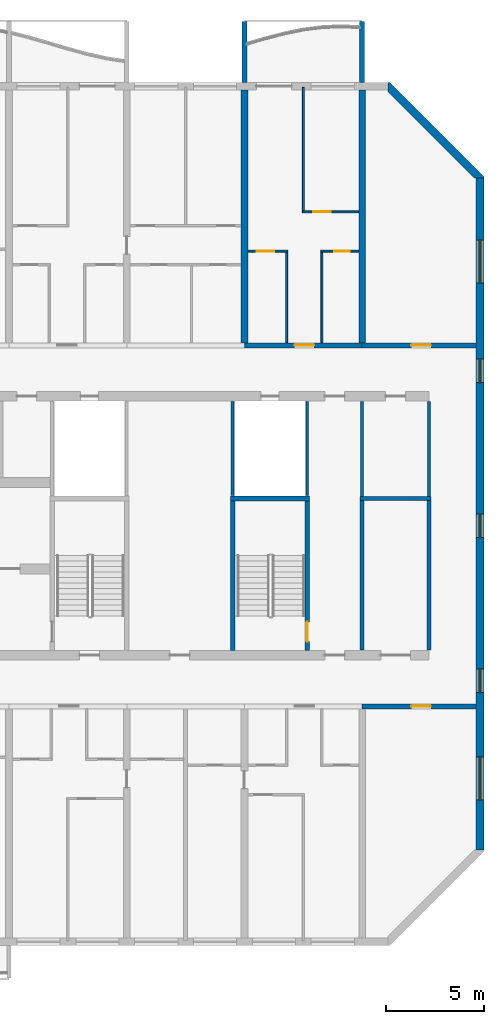
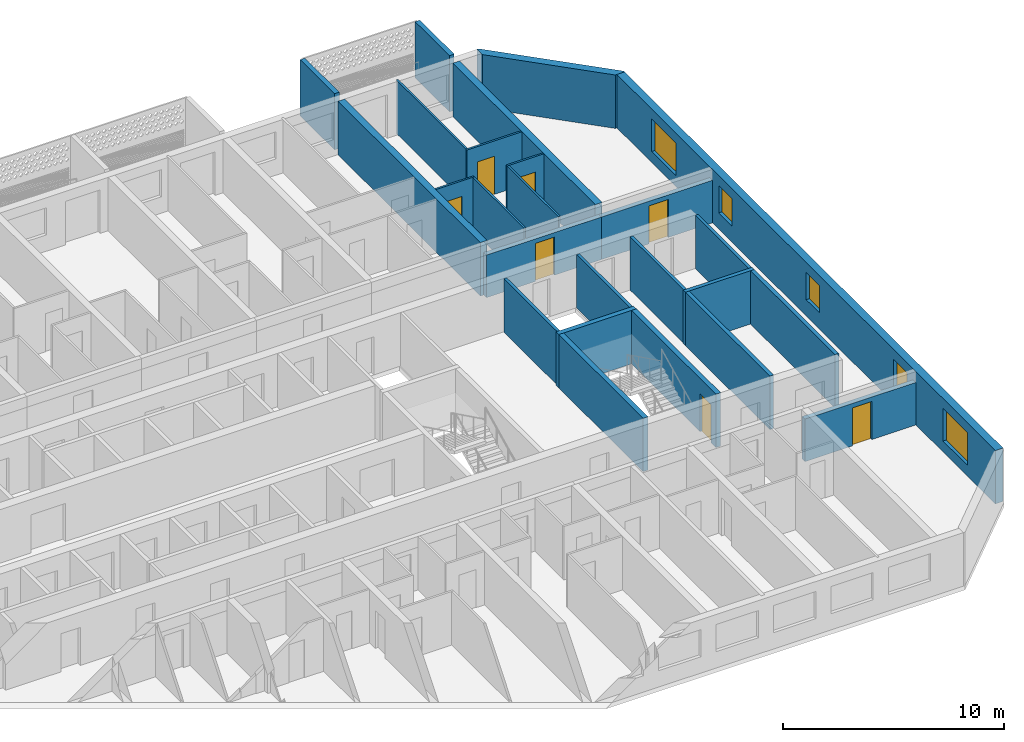
# One storey, part 13 of 24: 25 walls, 7 doors, 5 windows, 12 openings.
"""IFC4 building model written with IfcOpenShell, lengths in metres."""

from ifc_helpers import new_model, si_unit, direction, frame, frame_2d, origin, place, context, subcontext, project, spatial, polyline, rectangle, outline, extrude, source, transform, mapped, material, layer, layer_set, type_object, element, fill, save


model = new_model("IFC4")

# Units and contexts
model_context = context("Model", 3, precision=1e-05, world=origin(), true_north=direction((0.0, 1.0)))
body_context = subcontext(model_context, "Body", "Model", "MODEL_VIEW")
ifc_project = project(units=[si_unit("LENGTHUNIT", "METRE"), si_unit("AREAUNIT", "SQUARE_METRE"), si_unit("VOLUMEUNIT", "CUBIC_METRE"), si_unit("PLANEANGLEUNIT", "RADIAN"), si_unit("MASSUNIT", "GRAM", prefix="KILO")], contexts=[model_context])

# Site, building, storey
site_placement = place(None, origin())
site = spatial("IfcSite", under=ifc_project, at=site_placement, CompositionType="ELEMENT")
building_placement = place(site_placement, origin())
building = spatial("IfcBuilding", under=site, at=building_placement, Name="Poui Terraces", CompositionType="ELEMENT")
storey_placement = place(building_placement, frame((0.0, 0.0, 112.5)))
storey = spatial("IfcBuildingStorey", under=building, at=storey_placement, Name="L31", CompositionType="ELEMENT", Elevation=112.5)

# Walls
ifc_material_1 = material(Name="Fire-rated plasterboard wall")
ifc_layer_1 = layer(ifc_material_1, 0.14990234375)
ifc_layer_set_1 = layer_set([ifc_layer_1], Name="Fire-rated plasterboard wall")
wall_type_1 = type_object("IfcWallType", Name="CORRIDOR WALL 150", PredefinedType="PARTITIONING", material=ifc_layer_set_1)
for number, where, z_axis, x_axis, name in (
    (1, (84.0, 22.699951171875, 0.0), (0.0, 0.0, 1.0), (0.0, 1.0, 0.0), "CORRIDOR WALL 150"),
    (2, (87.39990234375, 22.699951171875, 0.0), (0.0, 0.0, 1.0), (0.0, 1.0, 0.0), "CORRIDOR WALL 150"),
):
    element("IfcWall", number, at=place(storey_placement, frame(where, z_axis=z_axis, x_axis=x_axis)), inside=storey, type_object=wall_type_1, Name=name, PredefinedType="PARTITIONING", context=body_context, shape_type="SweptSolid", body=[
        extrude(rectangle(XDim=4.840087890625, YDim=0.14990234375, at=frame_2d((2.419921875, 0.0))), origin(), (0.0, 0.0, 1.0), 2.949951171875),
    ])

# Wall, opening, door
ifc_material_2 = material(Name="Concrete 65 MPa", Category="concrete")
ifc_layer_2 = layer(ifc_material_2, 0.25)
ifc_layer_set_2 = layer_set([ifc_layer_2], Name="Concrete 65 MPa")
wall_type_2 = type_object("IfcWallType", Name="CORRIDOR WALL 250 65MPa", PredefinedType="SHEAR", material=ifc_layer_set_2)
wall_1_placement = place(storey_placement, frame((84.0, 12.0, 0.0), z_axis=(0.0, 0.0, 1.0), x_axis=(1.0, 0.0, 0.0)))
wall_1 = element("IfcWall", 3, at=wall_1_placement, inside=storey, type_object=wall_type_2, Name="CORRIDOR WALL LINE B BAY 13", PredefinedType="SHEAR", context=body_context, shape_type="SweptSolid", body=[
    extrude(rectangle(XDim=5.800048828125, YDim=0.25, at=frame_2d((2.89990234375, 0.0))), origin(), (0.0, 0.0, 1.0), 2.35009765625),
])
opening_1_placement = place(wall_1_placement, frame((2.5, 0.0, 0.0)))
opening_1 = element("IfcOpeningElement", 4, at=opening_1_placement, cuts=wall_1, Name="Opening D100", PredefinedType="OPENING", context=body_context, shape_type="SweptSolid", body=[
    extrude(rectangle(XDim=1.0, YDim=2.10009765625, at=frame_2d((0.5, 1.050048828125))), frame((0.0, 0.135009765625, 0.0), z_axis=(0.0, -1.0, 0.0), x_axis=(1.0, 0.0, 0.0)), (0.0, 0.0, 1.0), 0.27001953125),
])
ifc_material_3 = material(Name="Solid core timber door", Category="wood")
door_type_1 = type_object("IfcDoorType", Name="ACCESSIBLE INTERNAL DOOR 1000 X 2100", OperationType="NOTDEFINED", PredefinedType="DOOR", material=ifc_material_3)
door_1_placement = place(opening_1_placement, frame((1.0, 0.0, 0.0), z_axis=(0.0, 0.0, 1.0), x_axis=(-1.0, 0.0, 0.0)))
door_1 = element("IfcDoor", 5, at=door_1_placement, inside=storey, type_object=door_type_1, Name="ACCESSIBLE INTERNAL DOOR 119", OperationType="SINGLE_SWING_RIGHT", OverallHeight=2.10009765625, OverallWidth=1.0, PredefinedType="DOOR", context=body_context, shape_type="SweptSolid", body=[
    extrude(rectangle(XDim=1.0, YDim=2.10009765625, at=frame_2d((0.5, 1.050048828125))), frame((0.0, 0.02490234375, 0.0), z_axis=(0.0, -1.0, 0.0), x_axis=(1.0, 0.0, 0.0)), (0.0, 0.0, 1.0), 0.050048828125),
])
fill(opening_1, door_1)

wall_2_placement = place(storey_placement, frame((78.0, 30.39990234375, 0.0), z_axis=(0.0, 0.0, 1.0), x_axis=(1.0, 0.0, 0.0)))
wall_2 = element("IfcWall", 6, at=wall_2_placement, inside=storey, type_object=wall_type_2, Name="CORRIDOR WALL LINE E BAY 12", PredefinedType="SHEAR", context=body_context, shape_type="SweptSolid", body=[
    extrude(rectangle(XDim=6.0, YDim=0.25, at=frame_2d((3.0, 0.0))), origin(), (0.0, 0.0, 1.0), 2.35009765625),
])
opening_2_placement = place(wall_2_placement, frame((2.550048828125, 0.0, 0.0)))
opening_2 = element("IfcOpeningElement", 7, at=opening_2_placement, cuts=wall_2, Name="Opening FD30S", PredefinedType="OPENING", context=body_context, shape_type="SweptSolid", body=[
    extrude(rectangle(XDim=1.0, YDim=2.10009765625, at=frame_2d((0.5, 1.050048828125))), frame((0.0, 0.135009765625, 0.0), z_axis=(0.0, -1.0, 0.0), x_axis=(1.0, 0.0, 0.0)), (0.0, 0.0, 1.0), 0.27001953125),
])
ifc_material_4 = material(Name="Steel fire door", Category="steel")
door_type_2 = type_object("IfcDoorType", Name="FLAT ENTRANCE DOOR 1000 X 2100", OperationType="NOTDEFINED", PredefinedType="DOOR", material=ifc_material_4)
door_2_placement = place(opening_2_placement, origin())
door_2 = element("IfcDoor", 8, at=door_2_placement, inside=storey, type_object=door_type_2, Name="FLAT ENTRANCE DOOR 071", OperationType="SINGLE_SWING_RIGHT", OverallHeight=2.10009765625, OverallWidth=1.0, PredefinedType="DOOR", context=body_context, shape_type="SweptSolid", body=[
    extrude(rectangle(XDim=1.0, YDim=2.10009765625, at=frame_2d((0.5, 1.050048828125))), frame((0.0, 0.02490234375, 0.0), z_axis=(0.0, -1.0, 0.0), x_axis=(1.0, 0.0, 0.0)), (0.0, 0.0, 1.0), 0.050048828125),
])
fill(opening_2, door_2)

wall_3_placement = place(storey_placement, frame((84.0, 30.39990234375, 0.0), z_axis=(0.0, 0.0, 1.0), x_axis=(1.0, 0.0, 0.0)))
wall_3 = element("IfcWall", 9, at=wall_3_placement, inside=storey, type_object=wall_type_2, Name="CORRIDOR WALL LINE E BAY 13", PredefinedType="SHEAR", context=body_context, shape_type="SweptSolid", body=[
    extrude(rectangle(XDim=5.800048828125, YDim=0.25, at=frame_2d((2.89990234375, 0.0))), origin(), (0.0, 0.0, 1.0), 2.35009765625),
])
opening_3_placement = place(wall_3_placement, frame((2.5, 0.0, 0.0)))
opening_3 = element("IfcOpeningElement", 10, at=opening_3_placement, cuts=wall_3, Name="Opening D100", PredefinedType="OPENING", context=body_context, shape_type="SweptSolid", body=[
    extrude(rectangle(XDim=1.0, YDim=2.10009765625, at=frame_2d((0.5, 1.050048828125))), frame((0.0, 0.135009765625, 0.0), z_axis=(0.0, -1.0, 0.0), x_axis=(1.0, 0.0, 0.0)), (0.0, 0.0, 1.0), 0.27001953125),
])
door_3_placement = place(opening_3_placement, origin())
door_3 = element("IfcDoor", 11, at=door_3_placement, inside=storey, type_object=door_type_1, Name="ACCESSIBLE INTERNAL DOOR 074", OperationType="SINGLE_SWING_LEFT", OverallHeight=2.10009765625, OverallWidth=1.0, PredefinedType="DOOR", context=body_context, shape_type="SweptSolid", body=[
    extrude(rectangle(XDim=1.0, YDim=2.10009765625, at=frame_2d((0.5, 1.050048828125))), frame((0.0, 0.02490234375, 0.0), z_axis=(0.0, -1.0, 0.0), x_axis=(1.0, 0.0, 0.0)), (0.0, 0.0, 1.0), 0.050048828125),
])
fill(opening_3, door_3)

# Walls
ifc_layer_3 = layer(ifc_material_2, 0.35009765625)
ifc_layer_set_3 = layer_set([ifc_layer_3], Name="Concrete 65 MPa")
wall_type_3 = type_object("IfcWallType", Name="CROSS WALL 350 65MPa", PredefinedType="SHEAR", material=ifc_layer_set_3)
for number, where, z_axis, x_axis, name in (
    (12, (78.0, 30.52490234375, 0.0), (0.0, 0.0, 1.0), (0.0, 1.0, 0.0), "CROSS WALL LINE 14 NORTH"),
    (13, (84.0, 30.52490234375, 0.0), (0.0, 0.0, 1.0), (0.0, 1.0, 0.0), "CROSS WALL LINE 15 NORTH"),
):
    element("IfcWall", number, at=place(storey_placement, frame(where, z_axis=z_axis, x_axis=x_axis)), inside=storey, type_object=wall_type_3, Name=name, PredefinedType="SHEAR", context=body_context, shape_type="SweptSolid", body=[
        extrude(rectangle(XDim=12.875, YDim=0.35009765625, at=frame_2d((6.4375, 0.0))), origin(), (0.0, 0.0, 1.0), 2.949951171875),
    ])

# Wall, openings, windows
ifc_layer_4 = layer(ifc_material_2, 0.39990234375)
ifc_layer_set_4 = layer_set([ifc_layer_4], Name="Concrete 65 MPa")
wall_type_4 = type_object("IfcWallType", Name="END WALL 400 65MPa", PredefinedType="SHEAR", material=ifc_layer_set_4)
wall_4_placement = place(storey_placement, frame((90.0, 4.682861328125, 0.0), z_axis=(0.0, 0.0, 1.0), x_axis=(0.0, 1.0, 0.0)))
wall_4 = element("IfcWall", 14, at=wall_4_placement, inside=storey, type_object=wall_type_4, Name="END WALL EAST", PredefinedType="SHEAR", context=body_context, shape_type="SweptSolid", body=[
    extrude(rectangle(XDim=34.234375, YDim=0.39990234375, at=frame_2d((17.1171875, 0.0))), origin(), (0.0, 0.0, 1.0), 2.949951171875),
])
opening_4_placement = place(wall_4_placement, frame((15.917236328125, 0.0, 0.89990234375)))
opening_4 = element("IfcOpeningElement", 15, at=opening_4_placement, cuts=wall_4, Name="Opening W2", PredefinedType="OPENING", context=body_context, shape_type="SweptSolid", body=[
    extrude(rectangle(XDim=1.199951171875, YDim=1.5, at=frame_2d((0.60009765625, 0.75))), frame((0.0, 0.2099609375, 0.0), z_axis=(0.0, -1.0, 0.0), x_axis=(1.0, 0.0, 0.0)), (0.0, 0.0, 1.0), 0.419921875),
])
opening_5_placement = place(wall_4_placement, frame((23.817138671875, 0.0, 0.89990234375)))
opening_5 = element("IfcOpeningElement", 16, at=opening_5_placement, cuts=wall_4, Name="Opening W2", PredefinedType="OPENING", context=body_context, shape_type="SweptSolid", body=[
    extrude(rectangle(XDim=1.199951171875, YDim=1.5, at=frame_2d((0.60009765625, 0.75))), frame((0.0, 0.2099609375, 0.0), z_axis=(0.0, -1.0, 0.0), x_axis=(1.0, 0.0, 0.0)), (0.0, 0.0, 1.0), 0.419921875),
])
opening_6_placement = place(wall_4_placement, frame((8.01708984375, 0.0, 0.89990234375)))
opening_6 = element("IfcOpeningElement", 17, at=opening_6_placement, cuts=wall_4, Name="Opening W2", PredefinedType="OPENING", context=body_context, shape_type="SweptSolid", body=[
    extrude(rectangle(XDim=1.199951171875, YDim=1.5, at=frame_2d((0.60009765625, 0.75))), frame((0.0, 0.2099609375, 0.0), z_axis=(0.0, -1.0, 0.0), x_axis=(1.0, 0.0, 0.0)), (0.0, 0.0, 1.0), 0.419921875),
])
opening_7_placement = place(wall_4_placement, frame((28.8935546875, 0.0, 0.60009765625)))
opening_7 = element("IfcOpeningElement", 18, at=opening_7_placement, cuts=wall_4, Name="Opening W3", PredefinedType="OPENING", context=body_context, shape_type="SweptSolid", body=[
    extrude(rectangle(XDim=2.199951171875, YDim=1.800048828125, at=frame_2d((1.10009765625, 0.89990234375))), frame((0.0, 0.2099609375, 0.0), z_axis=(0.0, -1.0, 0.0), x_axis=(1.0, 0.0, 0.0)), (0.0, 0.0, 1.0), 0.419921875),
])
opening_8_placement = place(wall_4_placement, frame((2.541015625, 0.0, 0.60009765625)))
opening_8 = element("IfcOpeningElement", 19, at=opening_8_placement, cuts=wall_4, Name="Opening W3", PredefinedType="OPENING", context=body_context, shape_type="SweptSolid", body=[
    extrude(rectangle(XDim=2.199951171875, YDim=1.800048828125, at=frame_2d((1.10009765625, 0.89990234375))), frame((0.0, 0.2099609375, 0.0), z_axis=(0.0, -1.0, 0.0), x_axis=(1.0, 0.0, 0.0)), (0.0, 0.0, 1.0), 0.419921875),
])
ifc_material_5 = material(Name="Clear glass in aluminium frame", Category="aluminium")
window_type_1 = type_object("IfcWindowType", Name="WINDOW 1200X1500", PartitioningType="SINGLE_PANEL", PredefinedType="WINDOW", material=ifc_material_5)
window_1_placement = place(opening_4_placement, origin())
window_1 = element("IfcWindow", 20, at=window_1_placement, inside=storey, type_object=window_type_1, Name="W2 WINDOW", OverallHeight=1.5, OverallWidth=1.199951171875, PartitioningType="SINGLE_PANEL", PredefinedType="WINDOW", context=body_context, shape_type="SweptSolid", body=[
    extrude(rectangle(XDim=1.199951171875, YDim=1.5, at=frame_2d((0.60009765625, 0.75))), frame((0.0, 0.030029296875, 0.0), z_axis=(0.0, -1.0, 0.0), x_axis=(1.0, 0.0, 0.0)), (0.0, 0.0, 1.0), 0.06005859375),
])
fill(opening_4, window_1)
window_2_placement = place(opening_5_placement, origin())
window_2 = element("IfcWindow", 21, at=window_2_placement, inside=storey, type_object=window_type_1, Name="W2 WINDOW", OverallHeight=1.5, OverallWidth=1.199951171875, PartitioningType="SINGLE_PANEL", PredefinedType="WINDOW", context=body_context, shape_type="SweptSolid", body=[
    extrude(rectangle(XDim=1.199951171875, YDim=1.5, at=frame_2d((0.60009765625, 0.75))), frame((0.0, 0.030029296875, 0.0), z_axis=(0.0, -1.0, 0.0), x_axis=(1.0, 0.0, 0.0)), (0.0, 0.0, 1.0), 0.06005859375),
])
fill(opening_5, window_2)
window_3_placement = place(opening_6_placement, origin())
window_3 = element("IfcWindow", 22, at=window_3_placement, inside=storey, type_object=window_type_1, Name="W2 WINDOW", OverallHeight=1.5, OverallWidth=1.199951171875, PartitioningType="SINGLE_PANEL", PredefinedType="WINDOW", context=body_context, shape_type="SweptSolid", body=[
    extrude(rectangle(XDim=1.199951171875, YDim=1.5, at=frame_2d((0.60009765625, 0.75))), frame((0.0, 0.030029296875, 0.0), z_axis=(0.0, -1.0, 0.0), x_axis=(1.0, 0.0, 0.0)), (0.0, 0.0, 1.0), 0.06005859375),
])
fill(opening_6, window_3)
window_type_2 = type_object("IfcWindowType", Name="WINDOW 2200X1800", PartitioningType="DOUBLE_PANEL_HORIZONTAL", PredefinedType="WINDOW", material=ifc_material_5)
window_4_placement = place(opening_7_placement, origin())
window_4 = element("IfcWindow", 23, at=window_4_placement, inside=storey, type_object=window_type_2, Name="W3 WINDOW", OverallHeight=1.800048828125, OverallWidth=2.199951171875, PartitioningType="DOUBLE_PANEL_HORIZONTAL", PredefinedType="WINDOW", context=body_context, shape_type="SweptSolid", body=[
    extrude(rectangle(XDim=2.199951171875, YDim=1.800048828125, at=frame_2d((1.10009765625, 0.89990234375))), frame((0.0, 0.030029296875, 0.0), z_axis=(0.0, -1.0, 0.0), x_axis=(1.0, 0.0, 0.0)), (0.0, 0.0, 1.0), 0.06005859375),
])
fill(opening_7, window_4)
window_5_placement = place(opening_8_placement, origin())
window_5 = element("IfcWindow", 24, at=window_5_placement, inside=storey, type_object=window_type_2, Name="W3 WINDOW", OverallHeight=1.800048828125, OverallWidth=2.199951171875, PartitioningType="DOUBLE_PANEL_HORIZONTAL", PredefinedType="WINDOW", context=body_context, shape_type="SweptSolid", body=[
    extrude(rectangle(XDim=2.199951171875, YDim=1.800048828125, at=frame_2d((1.10009765625, 0.89990234375))), frame((0.0, 0.030029296875, 0.0), z_axis=(0.0, -1.0, 0.0), x_axis=(1.0, 0.0, 0.0)), (0.0, 0.0, 1.0), 0.06005859375),
])
fill(opening_8, window_5)

# Wall, opening, door
ifc_material_6 = material(Name="Plasterboard partition")
ifc_layer_5 = layer(ifc_material_6, 0.10009765625)
ifc_layer_set_5 = layer_set([ifc_layer_5], Name="Plasterboard partition")
wall_type_5 = type_object("IfcWallType", Name="FLAT PARTITION 100", PredefinedType="PARTITIONING", material=ifc_layer_set_5)
wall_5_placement = place(storey_placement, frame((78.18505859375, 35.199951171875, 0.0), z_axis=(0.0, 0.0, 1.0), x_axis=(1.0, 0.0, 0.0)))
wall_5 = element("IfcWall", 25, at=wall_5_placement, inside=storey, type_object=wall_type_5, Name="FLAT PARTITION 100", PredefinedType="PARTITIONING", context=body_context, shape_type="SweptSolid", body=[
    extrude(rectangle(XDim=2.014892578125, YDim=0.10009765625, at=frame_2d((1.00732421875, 0.0))), origin(), (0.0, 0.0, 1.0), 2.949951171875),
])
opening_9_placement = place(wall_5_placement, frame((0.43994140625, 0.0, 0.0)))
opening_9 = element("IfcOpeningElement", 26, at=opening_9_placement, cuts=wall_5, Name="Opening D90", PredefinedType="OPENING", context=body_context, shape_type="SweptSolid", body=[
    extrude(rectangle(XDim=0.89990234375, YDim=2.10009765625, at=frame_2d((0.449951171875, 1.050048828125))), frame((0.0, 0.06005859375, 0.0), z_axis=(0.0, -1.0, 0.0), x_axis=(1.0, 0.0, 0.0)), (0.0, 0.0, 1.0), 0.1201171875),
])
door_type_3 = type_object("IfcDoorType", Name="INTERNAL DOOR 900 X 2100", OperationType="NOTDEFINED", PredefinedType="DOOR", material=ifc_material_3)
door_4_placement = place(opening_9_placement, frame((0.89990234375, 0.0, 0.0), z_axis=(0.0, 0.0, 1.0), x_axis=(-1.0, 0.0, 0.0)))
door_4 = element("IfcDoor", 27, at=door_4_placement, inside=storey, type_object=door_type_3, Name="INTERNAL DOOR 070", OperationType="SINGLE_SWING_LEFT", OverallHeight=2.10009765625, OverallWidth=0.89990234375, PredefinedType="DOOR", context=body_context, shape_type="SweptSolid", body=[
    extrude(rectangle(XDim=0.89990234375, YDim=2.10009765625, at=frame_2d((0.449951171875, 1.050048828125))), frame((0.0, 0.02490234375, 0.0), z_axis=(0.0, -1.0, 0.0), x_axis=(1.0, 0.0, 0.0)), (0.0, 0.0, 1.0), 0.050048828125),
])
fill(opening_9, door_4)

wall_6_placement = place(storey_placement, frame((81.89990234375, 35.199951171875, 0.0), z_axis=(0.0, 0.0, 1.0), x_axis=(1.0, 0.0, 0.0)))
wall_6 = element("IfcWall", 28, at=wall_6_placement, inside=storey, type_object=wall_type_5, Name="FLAT PARTITION 100", PredefinedType="PARTITIONING", context=body_context, shape_type="SweptSolid", body=[
    extrude(rectangle(XDim=1.9150390625, YDim=0.10009765625, at=frame_2d((0.95751953125, 0.0))), origin(), (0.0, 0.0, 1.0), 2.949951171875),
])
opening_10_placement = place(wall_6_placement, frame((0.675048828125, 0.0, 0.0)))
opening_10 = element("IfcOpeningElement", 29, at=opening_10_placement, cuts=wall_6, Name="Opening D80", PredefinedType="OPENING", context=body_context, shape_type="SweptSolid", body=[
    extrude(rectangle(XDim=0.800048828125, YDim=2.10009765625, at=frame_2d((0.39990234375, 1.050048828125))), frame((0.0, 0.06005859375, 0.0), z_axis=(0.0, -1.0, 0.0), x_axis=(1.0, 0.0, 0.0)), (0.0, 0.0, 1.0), 0.1201171875),
])
door_type_4 = type_object("IfcDoorType", Name="BATHROOM, LAUNDRY AND STORE DOOR 800 X 2100", OperationType="NOTDEFINED", PredefinedType="DOOR", material=ifc_material_3)
door_5_placement = place(opening_10_placement, frame((0.800048828125, 0.0, 0.0), z_axis=(0.0, 0.0, 1.0), x_axis=(-1.0, 0.0, 0.0)))
door_5 = element("IfcDoor", 30, at=door_5_placement, inside=storey, type_object=door_type_4, Name="BATHROOM, LAUNDRY AND STORE DOOR 073", OperationType="SINGLE_SWING_RIGHT", OverallHeight=2.10009765625, OverallWidth=0.800048828125, PredefinedType="DOOR", context=body_context, shape_type="SweptSolid", body=[
    extrude(rectangle(XDim=0.800048828125, YDim=2.10009765625, at=frame_2d((0.39990234375, 1.050048828125))), frame((0.0, 0.02490234375, 0.0), z_axis=(0.0, -1.0, 0.0), x_axis=(1.0, 0.0, 0.0)), (0.0, 0.0, 1.0), 0.050048828125),
])
fill(opening_10, door_5)

wall_7_placement = place(storey_placement, frame((80.949951171875, 37.199951171875, 0.0), z_axis=(0.0, 0.0, 1.0), x_axis=(1.0, 0.0, 0.0)))
wall_7 = element("IfcWall", 31, at=wall_7_placement, inside=storey, type_object=wall_type_5, Name="FLAT PARTITION 100", PredefinedType="PARTITIONING", context=body_context, shape_type="SweptSolid", body=[
    extrude(rectangle(XDim=2.864990234375, YDim=0.10009765625, at=frame_2d((1.4326171875, 0.0))), origin(), (0.0, 0.0, 1.0), 2.949951171875),
])
opening_11_placement = place(wall_7_placement, frame((0.550048828125, 0.0, 0.0)))
opening_11 = element("IfcOpeningElement", 32, at=opening_11_placement, cuts=wall_7, Name="Opening D90", PredefinedType="OPENING", context=body_context, shape_type="SweptSolid", body=[
    extrude(rectangle(XDim=0.89990234375, YDim=2.10009765625, at=frame_2d((0.449951171875, 1.050048828125))), frame((0.0, 0.06005859375, 0.0), z_axis=(0.0, -1.0, 0.0), x_axis=(1.0, 0.0, 0.0)), (0.0, 0.0, 1.0), 0.1201171875),
])
door_6_placement = place(opening_11_placement, frame((0.89990234375, 0.0, 0.0), z_axis=(0.0, 0.0, 1.0), x_axis=(-1.0, 0.0, 0.0)))
door_6 = element("IfcDoor", 33, at=door_6_placement, inside=storey, type_object=door_type_3, Name="INTERNAL DOOR 072", OperationType="SINGLE_SWING_LEFT", OverallHeight=2.10009765625, OverallWidth=0.89990234375, PredefinedType="DOOR", context=body_context, shape_type="SweptSolid", body=[
    extrude(rectangle(XDim=0.89990234375, YDim=2.10009765625, at=frame_2d((0.449951171875, 1.050048828125))), frame((0.0, 0.02490234375, 0.0), z_axis=(0.0, -1.0, 0.0), x_axis=(1.0, 0.0, 0.0)), (0.0, 0.0, 1.0), 0.050048828125),
])
fill(opening_11, door_6)

# Walls
wall_8_placement = place(storey_placement, frame((80.14990234375, 30.534912109375, 0.0), z_axis=(0.0, 0.0, 1.0), x_axis=(0.0, 1.0, 0.0)))
element("IfcWall", 34, at=wall_8_placement, inside=storey, type_object=wall_type_5, Name="FLAT PARTITION 100", PredefinedType="PARTITIONING", context=body_context, shape_type="SweptSolid", body=[
    extrude(rectangle(XDim=4.614990234375, YDim=0.10009765625, at=frame_2d((2.3076171875, 0.0))), origin(), (0.0, 0.0, 1.0), 2.949951171875),
])
wall_9_placement = place(storey_placement, frame((81.0, 37.25, 0.0), z_axis=(0.0, 0.0, 1.0), x_axis=(0.0, 1.0, 0.0)))
element("IfcWall", 35, at=wall_9_placement, inside=storey, type_object=wall_type_5, Name="FLAT PARTITION 100", PredefinedType="PARTITIONING", context=body_context, shape_type="SweptSolid", body=[
    extrude(rectangle(XDim=6.2900390625, YDim=0.10009765625, at=frame_2d((3.14501953125, 0.0))), origin(), (0.0, 0.0, 1.0), 2.949951171875),
])
wall_10_placement = place(storey_placement, frame((81.949951171875, 30.534912109375, 0.0), z_axis=(0.0, 0.0, 1.0), x_axis=(0.0, 1.0, 0.0)))
element("IfcWall", 36, at=wall_10_placement, inside=storey, type_object=wall_type_5, Name="FLAT PARTITION 100", PredefinedType="PARTITIONING", context=body_context, shape_type="SweptSolid", body=[
    extrude(rectangle(XDim=4.614990234375, YDim=0.10009765625, at=frame_2d((2.3076171875, 0.0))), origin(), (0.0, 0.0, 1.0), 2.949951171875),
])
ifc_material_7 = material(Name="Fire-rated masonry wall", Category="masonry")
ifc_layer_6 = layer(ifc_material_7, 0.199951171875)
ifc_layer_set_6 = layer_set([ifc_layer_6], Name="Fire-rated masonry wall")
wall_type_6 = type_object("IfcWallType", Name="PLANT ROOM WALL 200", PredefinedType="PARTITIONING", material=ifc_layer_set_6)
wall_11_placement = place(storey_placement, frame((83.89990234375, 22.60009765625, 0.0), z_axis=(0.0, 0.0, 1.0), x_axis=(1.0, 0.0, 0.0)))
element("IfcWall", 37, at=wall_11_placement, inside=storey, type_object=wall_type_6, Name="PLANT ROOM WALL 200", PredefinedType="PARTITIONING", context=body_context, shape_type="SweptSolid", body=[
    extrude(rectangle(XDim=3.60009765625, YDim=0.199951171875, at=frame_2d((1.800048828125, 0.0))), origin(), (0.0, 0.0, 1.0), 2.949951171875),
])
for number, where, z_axis, x_axis, name in (
    (38, (84.0, 14.860107421875, 0.0), (0.0, 0.0, 1.0), (0.0, 1.0, 0.0), "PLANT ROOM WALL 200"),
    (39, (87.39990234375, 14.860107421875, 0.0), (0.0, 0.0, 1.0), (0.0, 1.0, 0.0), "PLANT ROOM WALL 200"),
):
    element("IfcWall", number, at=place(storey_placement, frame(where, z_axis=z_axis, x_axis=x_axis)), inside=storey, type_object=wall_type_6, Name=name, PredefinedType="PARTITIONING", context=body_context, shape_type="SweptSolid", body=[
        extrude(rectangle(XDim=7.639892578125, YDim=0.199951171875, at=frame_2d((3.81982421875, 0.0))), origin(), (0.0, 0.0, 1.0), 2.949951171875),
    ])
ifc_material_8 = material(Name="Fire-rated plasterboard riser wall")
ifc_layer_7 = layer(ifc_material_8, 0.14990234375)
ifc_layer_set_7 = layer_set([ifc_layer_7], Name="Fire-rated plasterboard riser wall")
wall_type_7 = type_object("IfcWallType", Name="RISER WALL 150", PredefinedType="PARTITIONING", material=ifc_layer_set_7)
for number, where, z_axis, x_axis, name in (
    (40, (77.39990234375, 22.735107421875, 0.0), (0.0, 0.0, 1.0), (0.0, 1.0, 0.0), "RISER WALL 150"),
    (41, (81.199951171875, 22.735107421875, 0.0), (0.0, 0.0, 1.0), (0.0, 1.0, 0.0), "RISER WALL 150"),
):
    element("IfcWall", number, at=place(storey_placement, frame(where, z_axis=z_axis, x_axis=x_axis)), inside=storey, type_object=wall_type_7, Name=name, PredefinedType="PARTITIONING", context=body_context, shape_type="SweptSolid", body=[
        extrude(rectangle(XDim=4.804931640625, YDim=0.14990234375, at=frame_2d((2.40234375, 0.0))), origin(), (0.0, 0.0, 1.0), 2.949951171875),
    ])
ifc_layer_8 = layer(ifc_material_2, 0.25)
ifc_layer_set_8 = layer_set([ifc_layer_8], Name="Concrete 65 MPa")
wall_type_8 = type_object("IfcWallType", Name="STAIR CORE WALL 250 65 MPA", PredefinedType="SOLIDWALL", material=ifc_layer_set_8)
wall_12_placement = place(storey_placement, frame((77.39990234375, 14.85009765625, 0.0), z_axis=(0.0, 0.0, 1.0), x_axis=(0.0, 1.0, 0.0)))
element("IfcWall", 42, at=wall_12_placement, inside=storey, type_object=wall_type_8, Name="STAIR CORE WALL", PredefinedType="SOLIDWALL", context=body_context, shape_type="SweptSolid", body=[
    extrude(rectangle(XDim=7.625, YDim=0.25, at=frame_2d((3.8125, 0.0))), origin(), (0.0, 0.0, 1.0), 2.949951171875),
])

# Wall, opening, door
wall_13_placement = place(storey_placement, frame((81.199951171875, 14.85009765625, 0.0), z_axis=(0.0, 0.0, 1.0), x_axis=(0.0, 1.0, 0.0)))
wall_13 = element("IfcWall", 43, at=wall_13_placement, inside=storey, type_object=wall_type_8, Name="STAIR CORE WALL", PredefinedType="SOLIDWALL", context=body_context, shape_type="SweptSolid", body=[
    extrude(rectangle(XDim=7.625, YDim=0.25, at=frame_2d((3.8125, 0.0))), origin(), (0.0, 0.0, 1.0), 2.949951171875),
])
opening_12_placement = place(wall_13_placement, frame((0.449951171875, 0.0, 0.0)))
opening_12 = element("IfcOpeningElement", 44, at=opening_12_placement, cuts=wall_13, Name="Opening FD60S", PredefinedType="OPENING", context=body_context, shape_type="SweptSolid", body=[
    extrude(rectangle(XDim=1.0, YDim=2.10009765625, at=frame_2d((0.5, 1.050048828125))), frame((0.0, 0.135009765625, 0.0), z_axis=(0.0, -1.0, 0.0), x_axis=(1.0, 0.0, 0.0)), (0.0, 0.0, 1.0), 0.27001953125),
])
door_type_5 = type_object("IfcDoorType", Name="STAIR DOOR 1000 X 2100", OperationType="NOTDEFINED", PredefinedType="DOOR", material=ifc_material_4)
door_7_placement = place(opening_12_placement, origin())
door_7 = element("IfcDoor", 45, at=door_7_placement, inside=storey, type_object=door_type_5, Name="STAIR DOOR 135", OperationType="SINGLE_SWING_LEFT", OverallHeight=2.10009765625, OverallWidth=1.0, PredefinedType="DOOR", context=body_context, shape_type="SweptSolid", body=[
    extrude(rectangle(XDim=1.0, YDim=2.10009765625, at=frame_2d((0.5, 1.050048828125))), frame((0.0, 0.02490234375, 0.0), z_axis=(0.0, -1.0, 0.0), x_axis=(1.0, 0.0, 0.0)), (0.0, 0.0, 1.0), 0.050048828125),
])
fill(opening_12, door_7)

# Walls
wall_14_placement = place(storey_placement, frame((77.27490234375, 22.60009765625, 0.0), z_axis=(0.0, 0.0, 1.0), x_axis=(1.0, 0.0, 0.0)))
element("IfcWall", 46, at=wall_14_placement, inside=storey, type_object=wall_type_8, Name="STAIR CORE WALL", PredefinedType="SOLIDWALL", context=body_context, shape_type="SweptSolid", body=[
    extrude(rectangle(XDim=4.050048828125, YDim=0.25, at=frame_2d((2.02490234375, 0.0))), origin(), (0.0, 0.0, 1.0), 2.949951171875),
])
ifc_material_9 = material(Name="Precast concrete 40 MPa", Category="concrete")
ifc_layer_9 = layer(ifc_material_9, 0.39990234375)
ifc_layer_set_9 = layer_set([ifc_layer_9], Name="Precast concrete 40 MPa")
wall_type_9 = type_object("IfcWallType", Name="TERRACOTTA CLAD CHAMFER WALL 400", PredefinedType="STANDARD", material=ifc_layer_set_9)
wall_15_placement = place(storey_placement, origin())
element("IfcWall", 47, at=wall_15_placement, inside=storey, type_object=wall_type_9, Name="CHAMFER WALL CH03", PredefinedType="STANDARD", context=body_context, shape_type="SweptSolid", body=[
    extrude(outline(polyline([(90.199951171875, 38.917236328125), (90.199951171875, 39.0), (85.39990234375, 43.800048828125), (85.317138671875, 43.800048828125), (85.317138671875, 43.317138671875), (89.71728515625, 38.917236328125), (90.199951171875, 38.917236328125)])), origin(), (0.0, 0.0, 1.0), 2.949951171875),
])
ifc_layer_10 = layer(ifc_material_9, 0.25)
ifc_layer_set_10 = layer_set([ifc_layer_10], Name="Precast concrete 40 MPa")
wall_type_10 = type_object("IfcWallType", Name="BALCONY FIN 250", PredefinedType="STANDARD", material=ifc_layer_set_10)
shared_shape = source(origin(), body_context, "Body", "SweptSolid", [
    extrude(outline(polyline([(0.0, 0.0), (0.25, 0.0), (0.25, 3.099853515625), (0.0, 3.099853515625), (0.0, 0.0)])), origin(), (0.0, 0.0, 1.0), 3.10009765625),
])
for number, where, name in (
    (48, (77.875, 43.800048828125, 0.0), "BALCONY FIN"),
    (49, (83.875, 43.800048828125, 0.0), "BALCONY FIN"),
):
    element("IfcWall", number, at=place(storey_placement, frame(where)), inside=storey, type_object=wall_type_10, Name=name, PredefinedType="STANDARD", context=body_context, shape_type="MappedRepresentation", body=[
        mapped(shared_shape, transform((0.0, 0.0, 0.0))),
    ])

save(model, "model.ifc")
